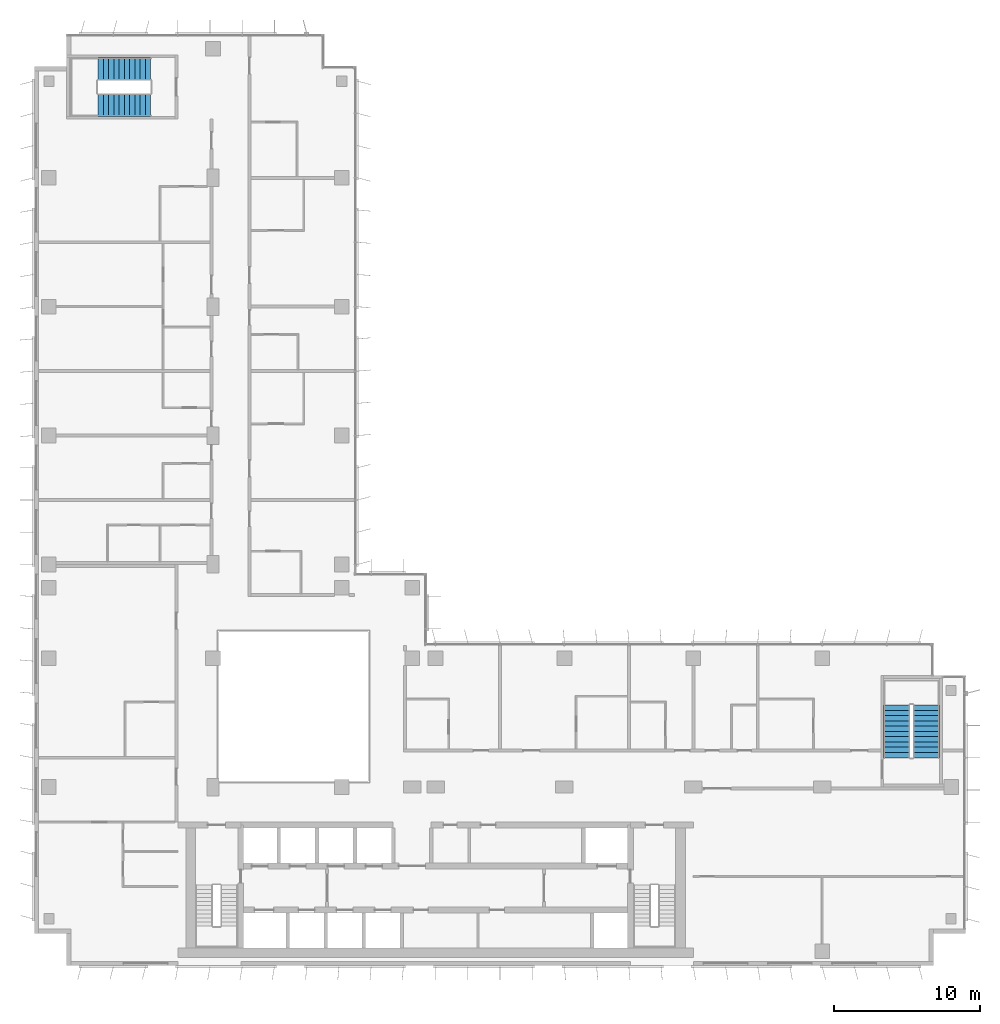
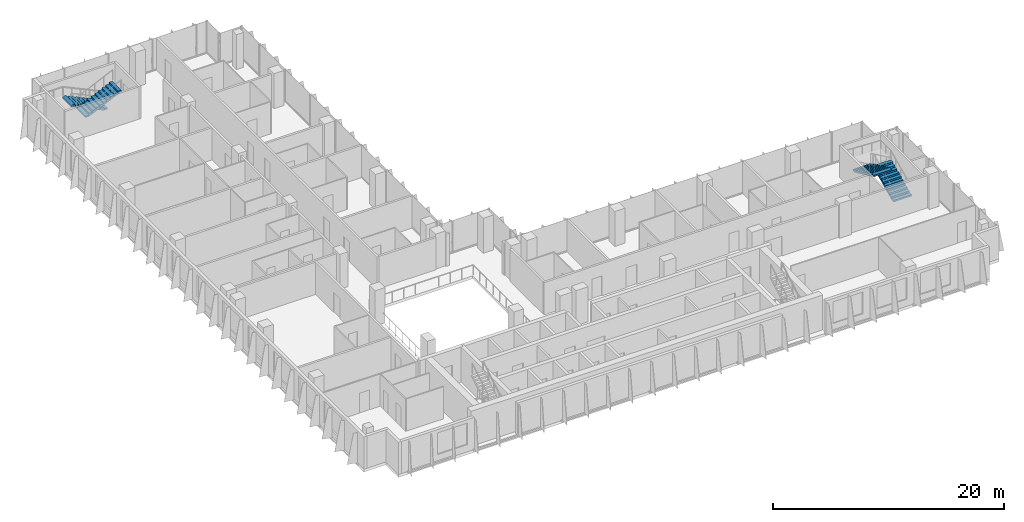
# One storey, part 18 of 21: 4 stair flights, 2 elements without a shape of their own.
"""IFC4 building model written with IfcOpenShell, lengths in metres."""

from ifc_helpers import new_model, si_unit, direction, frame, origin, place, context, subcontext, project, spatial, polyline, outline, extrude, material, type_object, element, aggregate, save


model = new_model("IFC4")

# Units and contexts
model_context = context("Model", 3, precision=1e-05, world=origin(), true_north=direction((0.0, 1.0)))
body_context = subcontext(model_context, "Body", "Model", "MODEL_VIEW")
ifc_project = project(units=[si_unit("LENGTHUNIT", "METRE"), si_unit("AREAUNIT", "SQUARE_METRE"), si_unit("VOLUMEUNIT", "CUBIC_METRE"), si_unit("PLANEANGLEUNIT", "RADIAN"), si_unit("MASSUNIT", "GRAM", prefix="KILO")], contexts=[model_context])

# Site, building, storey
site_placement = place(None, origin())
site = spatial("IfcSite", under=ifc_project, at=site_placement, CompositionType="ELEMENT")
building_placement = place(site_placement, origin())
building = spatial("IfcBuilding", under=site, at=building_placement, Name="Kemantara Hotel Tower", CompositionType="ELEMENT")
storey_placement = place(building_placement, frame((0.0, 0.0, 175.300048828125)))
storey = spatial("IfcBuildingStorey", under=building, at=storey_placement, Name="L43", CompositionType="ELEMENT", Elevation=175.300048828125)

# Stair, stair flights
ifc_material = material(Name="Concrete fc 40 MPa", Category="concrete")
stair_type_1 = type_object("IfcStairType", Name="Stair 1550 wide 22 risers of 168 x 360 mm", PredefinedType="HALF_TURN_STAIR", material=ifc_material)
stair_1_placement = place(storey_placement, origin())
stair_1 = element("IfcStair", 1, at=stair_1_placement, inside=storey, type_object=stair_type_1, Name="L43 Exit stair ST4", PredefinedType="HALF_TURN_STAIR")
stair_flight_type_1 = type_object("IfcStairFlightType", Name="Stair flight 1550 wide 168 x 360 mm", PredefinedType="STRAIGHT", material=ifc_material)
stair_flight_1_placement = place(storey_placement, frame((7.949951171875, 61.22509765625, 0.0), z_axis=(0.0, 0.0, 1.0), x_axis=(-1.0, 0.0, 0.0)))
stair_flight_1 = element("IfcStairFlight", 2, at=stair_flight_1_placement, type_object=stair_flight_type_1, Name="ST4 flight 1", NumberOfRisers=11, NumberOfTreads=10, PredefinedType="STRAIGHT", RiserHeight=0.168181818, TreadLength=0.36, context=body_context, shape_type="SweptSolid", body=[
    extrude(outline(polyline([(0.0, 0.0), (0.0, 0.168212890625), (0.360107421875, 0.168212890625), (0.360107421875, 0.33642578125), (0.719970703125, 0.33642578125), (0.719970703125, 0.504638671875), (1.080078125, 0.504638671875), (1.080078125, 0.672607421875), (1.43994140625, 0.672607421875), (1.43994140625, 0.8408203125), (1.800048828125, 0.8408203125), (1.800048828125, 1.009033203125), (2.159912109375, 1.009033203125), (2.159912109375, 1.17724609375), (2.52001953125, 1.17724609375), (2.52001953125, 1.345458984375), (2.8798828125, 1.345458984375), (2.8798828125, 1.513671875), (3.239990234375, 1.513671875), (3.239990234375, 1.681884765625), (3.60009765625, 1.681884765625), (3.60009765625, 1.85009765625), (3.60009765625, 1.516357421875), (0.354248046875, 0.0), (0.0, 0.0)])), frame((0.0, 0.77490234375, 0.0), z_axis=(0.0, -1.0, 0.0), x_axis=(1.0, 0.0, 0.0)), (0.0, 0.0, 1.0), 1.550048828125),
])
stair_flight_2_placement = place(storey_placement, frame((4.35009765625, 58.77490234375, 1.849853515625), z_axis=(0.0, 0.0, 1.0), x_axis=(1.0, 0.0, 0.0)))
stair_flight_2 = element("IfcStairFlight", 3, at=stair_flight_2_placement, type_object=stair_flight_type_1, Name="ST4 flight 2", NumberOfRisers=11, NumberOfTreads=10, PredefinedType="STRAIGHT", RiserHeight=0.168181818, TreadLength=0.36, context=body_context, shape_type="SweptSolid", body=[
    extrude(outline(polyline([(0.0, 0.0), (0.0, 0.168212890625), (0.360107421875, 0.168212890625), (0.360107421875, 0.33642578125), (0.719970703125, 0.33642578125), (0.719970703125, 0.504638671875), (1.080078125, 0.504638671875), (1.080078125, 0.672607421875), (1.43994140625, 0.672607421875), (1.43994140625, 0.8408203125), (1.800048828125, 0.8408203125), (1.800048828125, 1.009033203125), (2.159912109375, 1.009033203125), (2.159912109375, 1.17724609375), (2.52001953125, 1.17724609375), (2.52001953125, 1.345458984375), (2.8798828125, 1.345458984375), (2.8798828125, 1.513671875), (3.239990234375, 1.513671875), (3.239990234375, 1.681884765625), (3.60009765625, 1.681884765625), (3.60009765625, 1.85009765625), (3.60009765625, 1.516357421875), (0.354248046875, 0.0), (0.0, 0.0)])), frame((0.0, 0.77490234375, 0.0), z_axis=(0.0, -1.0, 0.0), x_axis=(1.0, 0.0, 0.0)), (0.0, 0.0, 1.0), 1.550048828125),
])
aggregate(stair_1, [stair_flight_1, stair_flight_2])

stair_type_2 = type_object("IfcStairType", Name="Stair 1800 wide 22 risers of 168 x 360 mm", PredefinedType="HALF_TURN_STAIR", material=ifc_material)
stair_2_placement = place(storey_placement, origin())
stair_2 = element("IfcStair", 4, at=stair_2_placement, inside=storey, type_object=stair_type_2, Name="L43 Exit stair ST3", PredefinedType="HALF_TURN_STAIR")
stair_flight_type_2 = type_object("IfcStairFlightType", Name="Stair flight 1800 wide 168 x 360 mm", PredefinedType="STRAIGHT", material=ifc_material)
stair_flight_3_placement = place(storey_placement, frame((60.89990234375, 14.199951171875, 0.0), z_axis=(0.0, 0.0, 1.0), x_axis=(0.0, 1.0, 0.0)))
stair_flight_3 = element("IfcStairFlight", 5, at=stair_flight_3_placement, type_object=stair_flight_type_2, Name="ST3 flight 1", NumberOfRisers=11, NumberOfTreads=10, PredefinedType="STRAIGHT", RiserHeight=0.168181818, TreadLength=0.36, context=body_context, shape_type="SweptSolid", body=[
    extrude(outline(polyline([(0.0, 0.0), (0.0, 0.168212890625), (0.360107421875, 0.168212890625), (0.360107421875, 0.33642578125), (0.719970703125, 0.33642578125), (0.719970703125, 0.504638671875), (1.080078125, 0.504638671875), (1.080078125, 0.672607421875), (1.43994140625, 0.672607421875), (1.43994140625, 0.8408203125), (1.800048828125, 0.8408203125), (1.800048828125, 1.009033203125), (2.159912109375, 1.009033203125), (2.159912109375, 1.17724609375), (2.52001953125, 1.17724609375), (2.52001953125, 1.345458984375), (2.8798828125, 1.345458984375), (2.8798828125, 1.513671875), (3.239990234375, 1.513671875), (3.239990234375, 1.681884765625), (3.60009765625, 1.681884765625), (3.60009765625, 1.85009765625), (3.60009765625, 1.516357421875), (0.354248046875, 0.0), (0.0, 0.0)])), frame((0.0, 0.89990234375, 0.0), z_axis=(0.0, -1.0, 0.0), x_axis=(1.0, 0.0, 0.0)), (0.0, 0.0, 1.0), 1.800048828125),
])
stair_flight_4_placement = place(storey_placement, frame((58.89990234375, 17.800048828125, 1.849853515625), z_axis=(0.0, 0.0, 1.0), x_axis=(0.0, -1.0, 0.0)))
stair_flight_4 = element("IfcStairFlight", 6, at=stair_flight_4_placement, type_object=stair_flight_type_2, Name="ST3 flight 2", NumberOfRisers=11, NumberOfTreads=10, PredefinedType="STRAIGHT", RiserHeight=0.168181818, TreadLength=0.36, context=body_context, shape_type="SweptSolid", body=[
    extrude(outline(polyline([(0.0, 0.0), (0.0, 0.168212890625), (0.360107421875, 0.168212890625), (0.360107421875, 0.33642578125), (0.719970703125, 0.33642578125), (0.719970703125, 0.504638671875), (1.080078125, 0.504638671875), (1.080078125, 0.672607421875), (1.43994140625, 0.672607421875), (1.43994140625, 0.8408203125), (1.800048828125, 0.8408203125), (1.800048828125, 1.009033203125), (2.159912109375, 1.009033203125), (2.159912109375, 1.17724609375), (2.52001953125, 1.17724609375), (2.52001953125, 1.345458984375), (2.8798828125, 1.345458984375), (2.8798828125, 1.513671875), (3.239990234375, 1.513671875), (3.239990234375, 1.681884765625), (3.60009765625, 1.681884765625), (3.60009765625, 1.85009765625), (3.60009765625, 1.516357421875), (0.354248046875, 0.0), (0.0, 0.0)])), frame((0.0, 0.89990234375, 0.0), z_axis=(0.0, -1.0, 0.0), x_axis=(1.0, 0.0, 0.0)), (0.0, 0.0, 1.0), 1.800048828125),
])
aggregate(stair_2, [stair_flight_3, stair_flight_4])

save(model, "model.ifc")
